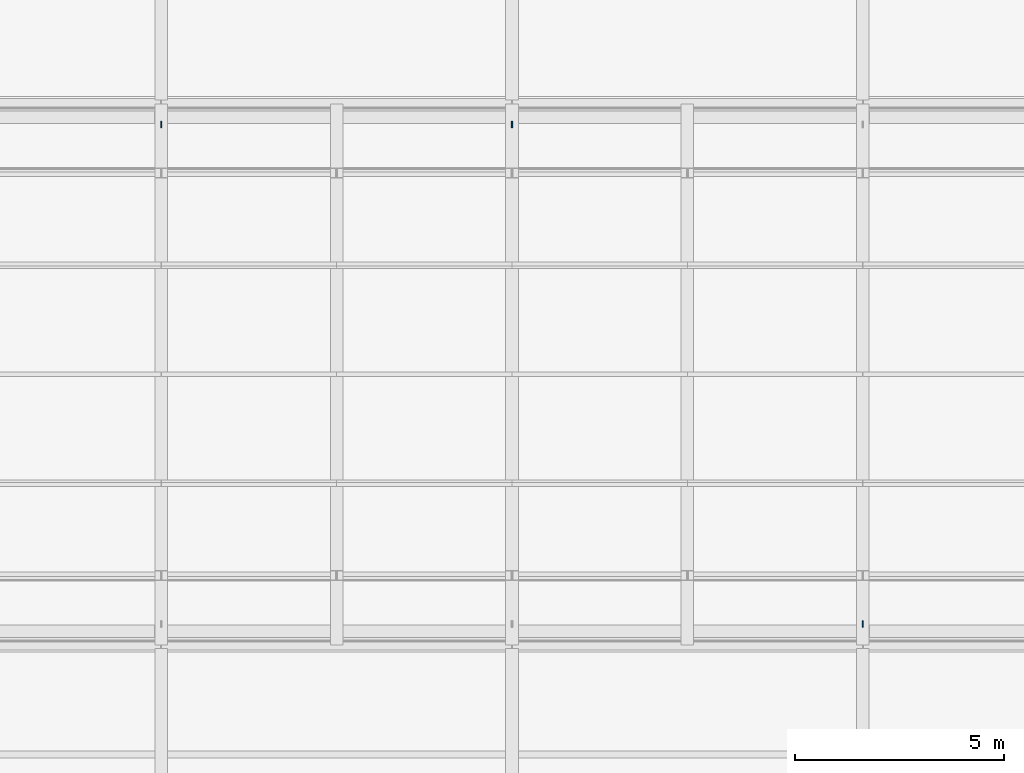
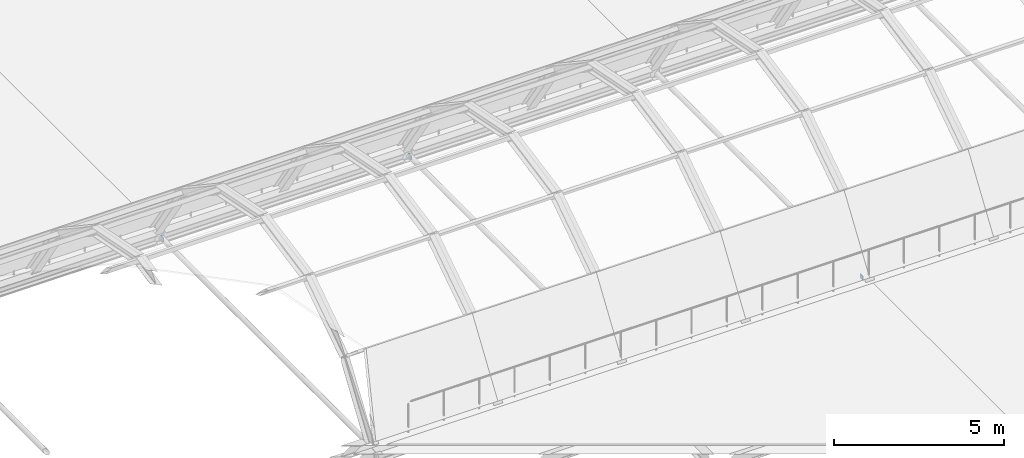
# One storey, part 46 of 58: 3 discrete accessories.
"""IFC4 building model written with IfcOpenShell, lengths in metres."""

import ifcopenshell
import ifcopenshell.guid

model = None  # the IFC model being written
_history = None  # IfcOwnerHistory: only IFC2X3 demands one
_inside = {}  # id of a spatial element -> (the spatial element, [elements in it])
_under = {}  # id of a project, library or spatial element -> (it, [spatial elements below it])
_declared = {}  # id of a project -> (the project, [libraries it declares])
_typed = {}  # id of a type object -> (the type object, [elements of that type])
_made_of = {}  # id of a material, layer set ... -> (it, [elements and type objects made of it])


def new_model(schema):
    """Start an empty IFC model of exactly this schema.

    Asked for "IFC4X3", IfcOpenShell would pick the latest addendum, in which some entities
    have other attributes; the version numbers below select the first issue.
    IFC2X3 requires an IfcOwnerHistory on every rooted entity: one is made here for all.
    """
    global model, _history
    if schema == "IFC4X3":
        model = ifcopenshell.file(schema_version=(4, 3, 0, 0))
    else:
        model = ifcopenshell.file(schema=schema)
    _inside.clear()
    _under.clear()
    _declared.clear()
    _typed.clear()
    _made_of.clear()
    _history = None
    if model.schema == "IFC2X3":
        org = make("IfcOrganization", Name="unknown")
        user = make(
            "IfcPersonAndOrganization",
            ThePerson=make("IfcPerson", FamilyName="unknown"),
            TheOrganization=org,
        )
        app = make(
            "IfcApplication",
            ApplicationDeveloper=org,
            Version="unknown",
            ApplicationFullName="unknown",
            ApplicationIdentifier="unknown",
        )
        _history = make(
            "IfcOwnerHistory",
            OwningUser=user,
            OwningApplication=app,
            ChangeAction="ADDED",
            CreationDate=0,
        )
    return model


def make(cls, **values):
    """One entity of the class cls with the attributes given. An attribute that is None is left unset."""
    return model.create_entity(
        cls, **{name: value for name, value in values.items() if value is not None}
    )


def rooted(cls, **values):
    """An entity with a GlobalId (a new one), such as an element, a storey or a relation."""
    return make(cls, GlobalId=ifcopenshell.guid.new(), OwnerHistory=_history, **values)


def si_unit(unit_type, name, prefix=None):
    """IfcSIUnit, for example si_unit("LENGTHUNIT", "METRE", prefix="MILLI")."""
    return make("IfcSIUnit", UnitType=unit_type, Prefix=prefix, Name=name)


def assignment(units):
    """IfcUnitAssignment: the units of a project."""
    return None if units is None else make("IfcUnitAssignment", Units=units)


def point(xyz):
    """IfcCartesianPoint."""
    return None if xyz is None else make("IfcCartesianPoint", Coordinates=xyz)


def direction(xyz):
    """IfcDirection."""
    return None if xyz is None else make("IfcDirection", DirectionRatios=xyz)


def frame(location, z_axis=None, x_axis=None):
    """IfcAxis2Placement3D, a coordinate frame: its origin and axes. An axis left out is left unset."""
    return make(
        "IfcAxis2Placement3D",
        Location=point(location),
        Axis=direction(z_axis),
        RefDirection=direction(x_axis),
    )


def frame_2d(location, x_axis=None):
    """IfcAxis2Placement2D, a coordinate frame in the plane: its origin and x axis."""
    return make(
        "IfcAxis2Placement2D", Location=point(location), RefDirection=direction(x_axis)
    )


def origin():
    """The frame at (0, 0, 0) with its axes left unset."""
    return frame((0.0, 0.0, 0.0))


def origin_2d():
    """The frame at (0, 0) in the plane with its x axis left unset."""
    return frame_2d((0.0, 0.0))


def place(relative_to, where):
    """IfcLocalPlacement: puts the frame where relative to a parent placement (None: the world)."""
    return make(
        "IfcLocalPlacement", PlacementRelTo=relative_to, RelativePlacement=where
    )


def context(
    kind, dimensions, precision=None, world=None, true_north=None, identifier=None
):
    """IfcGeometricRepresentationContext, for example the 3D "Model" context."""
    return make(
        "IfcGeometricRepresentationContext",
        ContextIdentifier=identifier,
        ContextType=kind,
        CoordinateSpaceDimension=dimensions,
        Precision=precision,
        WorldCoordinateSystem=world,
        TrueNorth=true_north,
    )


def subcontext(parent, identifier, kind, view, scale=None):
    """IfcGeometricRepresentationSubContext, for example "Body" below "Model"."""
    return make(
        "IfcGeometricRepresentationSubContext",
        ContextIdentifier=identifier,
        ContextType=kind,
        ParentContext=parent,
        TargetScale=scale,
        TargetView=view,
    )


def project(units=None, contexts=None):
    """IfcProject with its units and contexts."""
    return rooted(
        "IfcProject",
        Name="project",
        RepresentationContexts=contexts,
        UnitsInContext=assignment(units),
    )


def spatial(cls, under=None, at=None, **own):
    """A site, building, storey or space (cls), placed at a placement, below another one or the project."""
    s = rooted(cls, ObjectPlacement=at, **own)
    if under is not None:
        _under.setdefault(under.id(), (under, []))[1].append(s)
    return s


def profile(cls, at=None, kind="AREA", **sizes):
    """A parametric profile (cls). Its sizes go by their IFC names, for example OverallWidth=200.0."""
    return make(cls, ProfileType=kind, Position=at, **sizes)


def rectangle(**sizes):
    """IfcRectangleProfileDef."""
    return profile("IfcRectangleProfileDef", **sizes)


def extrude(swept, where, along, depth):
    """IfcExtrudedAreaSolid: the profile swept, set in the frame where, extruded along a direction by depth."""
    return make(
        "IfcExtrudedAreaSolid",
        SweptArea=swept,
        Position=where,
        ExtrudedDirection=direction(along),
        Depth=depth,
    )


def shape(context_of_items, identifier, shape_type, items):
    """IfcShapeRepresentation: the items that make up one representation, for example the "Body"."""
    return make(
        "IfcShapeRepresentation",
        ContextOfItems=context_of_items,
        RepresentationIdentifier=identifier,
        RepresentationType=shape_type,
        Items=items,
    )


def material(Name=None, Category=None):
    """IfcMaterial."""
    return make("IfcMaterial", Name=Name, Category=Category)


def layer(
    of_material, thickness, ventilated=None, Name=None, Category=None, Priority=None
):
    """IfcMaterialLayer: one layer of a wall or slab, of a material (None: an air gap)."""
    return make(
        "IfcMaterialLayer",
        Material=of_material,
        LayerThickness=thickness,
        IsVentilated=ventilated,
        Name=Name,
        Category=Category,
        Priority=Priority,
    )


def layer_set(layers, Name=None):
    """IfcMaterialLayerSet."""
    return make("IfcMaterialLayerSet", MaterialLayers=layers, LayerSetName=Name)


def made_of(thing, what):
    """Note that an element or type object is made of a material, layer set ...; save() writes the relation."""
    if what is not None:
        _made_of.setdefault(what.id(), (what, []))[1].append(thing)
    return thing


def type_object(cls, material=None, **own):
    """A type object (cls), such as IfcWallType, which elements share."""
    return made_of(rooted(cls, **own), material)


def element(
    cls,
    number,
    at=None,
    inside=None,
    cuts=None,
    type_object=None,
    material=None,
    context=None,
    identifier="Body",
    shape_type=None,
    held_by="IfcProductDefinitionShape",
    body=None,
    shapes=None,
    **own,
):
    """One element of the class cls, such as IfcWall. Its Tag is "e" and its number.

    at: its placement. inside: the storey or other place that contains it. cuts: it is an
    opening in that element (IfcRelVoidsElement). A single representation is given by context,
    identifier, shape_type and body (its items); several are given by shapes. held_by: the class
    of the entity that holds the representations. save() writes the other relations.
    """
    e = rooted(cls, Tag="e%d" % number, ObjectPlacement=at, **own)
    if body is not None:
        shapes = [shape(context, identifier, shape_type, body)]
    if shapes is not None:
        e.Representation = make(held_by, Representations=shapes)
    if inside is not None:
        _inside.setdefault(inside.id(), (inside, []))[1].append(e)
    if cuts is not None:
        rooted(
            "IfcRelVoidsElement", RelatingBuildingElement=cuts, RelatedOpeningElement=e
        )
    if type_object is not None:
        _typed.setdefault(type_object.id(), (type_object, []))[1].append(e)
    return made_of(e, material)


def aggregate(whole, parts):
    """IfcRelAggregates: a whole, such as a stair, and the parts it consists of."""
    return rooted("IfcRelAggregates", RelatingObject=whole, RelatedObjects=parts)


def save(model, path):
    """Write the relations noted so far, then the file.

    IfcRelAggregates (storeys below a building ...), IfcRelContainedInSpatialStructure (elements
    in a storey), IfcRelDefinesByType, IfcRelAssociatesMaterial and IfcRelDeclares: one each for
    every whole, place, type object, material and project.
    """
    for whole, parts in _under.values():
        aggregate(whole, parts)
    for where, things in _inside.values():
        rooted(
            "IfcRelContainedInSpatialStructure",
            RelatedElements=things,
            RelatingStructure=where,
        )
    for kind, things in _typed.values():
        rooted("IfcRelDefinesByType", RelatedObjects=things, RelatingType=kind)
    for what, things in _made_of.values():
        rooted("IfcRelAssociatesMaterial", RelatedObjects=things, RelatingMaterial=what)
    for by, libraries in _declared.values():
        rooted("IfcRelDeclares", RelatingContext=by, RelatedDefinitions=libraries)
    model.write(path)


model = new_model("IFC4")

# Units and contexts
model_context = context("Model", 3, precision=1e-05, world=origin(), true_north=direction((0.0, 1.0)))
body_context = subcontext(model_context, "Body", "Model", "MODEL_VIEW")
ifc_project = project(units=[si_unit("LENGTHUNIT", "METRE"), si_unit("AREAUNIT", "SQUARE_METRE"), si_unit("VOLUMEUNIT", "CUBIC_METRE"), si_unit("PLANEANGLEUNIT", "RADIAN"), si_unit("MASSUNIT", "GRAM", prefix="KILO")], contexts=[model_context])

# Site, building, storey
site_placement = place(None, origin())
site = spatial("IfcSite", under=ifc_project, at=site_placement, CompositionType="ELEMENT")
building_placement = place(site_placement, origin())
building = spatial("IfcBuilding", under=site, at=building_placement, Name="Galleria Vessillo Department Store", CompositionType="ELEMENT")
storey_placement = place(building_placement, frame((0.0, 0.0, 31.199951171875)))
storey = spatial("IfcBuildingStorey", under=building, at=storey_placement, Name="L06", CompositionType="ELEMENT", Elevation=31.199951171875)

# Discrete accessories
ifc_material = material(Name="Steel S355 J2", Category="steel")
ifc_layer = layer(ifc_material, 0.02490234375)
ifc_layer_set = layer_set([ifc_layer], Name="Steel S355 J2")
discrete_accessory_type = type_object("IfcDiscreteAccessoryType", Name="Vault tie gusset and cap bracket CN15", PredefinedType="BRACKET", material=ifc_layer_set)
for number, where, z_axis, x_axis, name in (
    (1, (50.39990234375, 37.47802734375, -0.224853515625), (0.0, 0.0, 1.0), (1.0, 0.0, 0.0), "Vault tie connection bracket S-VT-0504 north"),
    (2, (58.800048828125, 37.47802734375, -0.224853515625), (0.0, 0.0, 1.0), (1.0, 0.0, 0.0), "Vault tie connection bracket S-VT-0588 north"),
    (3, (67.199951171875, 25.52197265625, -0.224853515625), (0.0, 0.0, 1.0), (1.0, 0.0, 0.0), "Vault tie connection bracket S-VT-0672 south"),
):
    element("IfcDiscreteAccessory", number, at=place(storey_placement, frame(where, z_axis=z_axis, x_axis=x_axis)), inside=storey, type_object=discrete_accessory_type, Name=name, PredefinedType="BRACKET", context=body_context, shape_type="SweptSolid", body=[
        extrude(rectangle(XDim=0.02490234375, YDim=0.159912109375, at=origin_2d()), origin(), (0.0, 0.0, 1.0), 0.14990234375),
    ])

save(model, "model.ifc")
